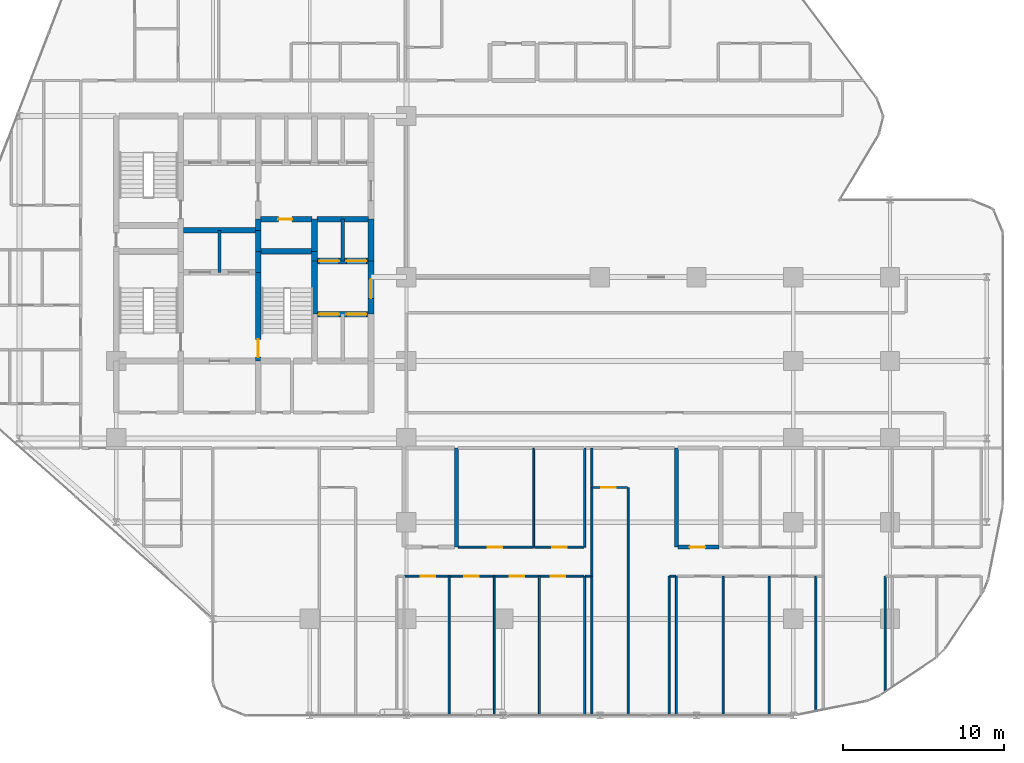
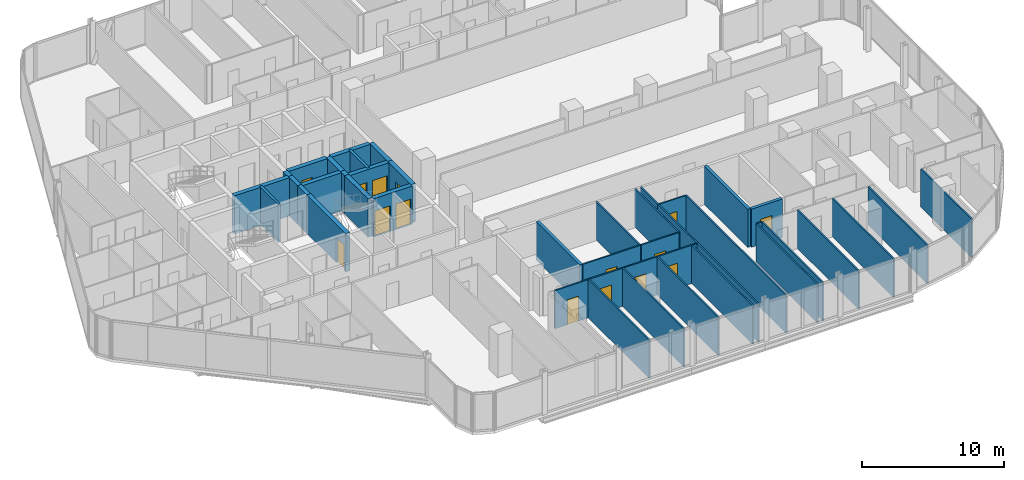
# One storey, part 28 of 33: 42 walls, 15 doors, 15 openings.
"""IFC4 building model written with IfcOpenShell, lengths in metres."""

from ifc_helpers import new_model, si_unit, direction, frame, frame_2d, origin, place, context, subcontext, project, spatial, rectangle, extrude, material, layer, layer_set, type_object, element, fill, save


model = new_model("IFC4")

# Units and contexts
model_context = context("Model", 3, precision=1e-05, world=origin(), true_north=direction((0.0, 1.0)))
body_context = subcontext(model_context, "Body", "Model", "MODEL_VIEW")
ifc_project = project(units=[si_unit("LENGTHUNIT", "METRE"), si_unit("AREAUNIT", "SQUARE_METRE"), si_unit("VOLUMEUNIT", "CUBIC_METRE"), si_unit("PLANEANGLEUNIT", "RADIAN"), si_unit("MASSUNIT", "GRAM", prefix="KILO")], contexts=[model_context])

# Site, building, storey
site_placement = place(None, origin())
site = spatial("IfcSite", under=ifc_project, at=site_placement, CompositionType="ELEMENT")
building_placement = place(site_placement, origin())
building = spatial("IfcBuilding", under=site, at=building_placement, Name="Keshet Zoharim Tower", CompositionType="ELEMENT")
storey_placement = place(building_placement, frame((0.0, 0.0, 57.300048828125)))
storey = spatial("IfcBuildingStorey", under=building, at=storey_placement, Name="L13", CompositionType="ELEMENT", Elevation=57.300048828125)

# Wall, opening, door
ifc_material_1 = material(Name="Concrete C60/75", Category="concrete")
ifc_layer_1 = layer(ifc_material_1, 0.35009765625)
ifc_layer_set_1 = layer_set([ifc_layer_1], Name="Concrete C60/75")
wall_type_1 = type_object("IfcWallType", Name="WL-CORE-350", PredefinedType="SHEAR", material=ifc_layer_set_1)
wall_1_placement = place(storey_placement, frame((23.800048828125, 22.699951171875, 0.0), z_axis=(0.0, 0.0, 1.0), x_axis=(0.0, 1.0, 0.0)))
wall_1 = element("IfcWall", 1, at=wall_1_placement, inside=storey, type_object=wall_type_1, Name="L13 Core Shear Wall 035", PredefinedType="SHEAR", context=body_context, shape_type="SweptSolid", body=[
    extrude(rectangle(XDim=5.5, YDim=0.35009765625, at=frame_2d((2.75, 0.0))), origin(), (0.0, 0.0, 1.0), 3.280029296875),
])
opening_1_placement = place(wall_1_placement, frame((0.235107421875, 0.0, 0.0)))
opening_1 = element("IfcOpeningElement", 2, at=opening_1_placement, cuts=wall_1, Name="Opening D-F611", PredefinedType="OPENING", context=body_context, shape_type="SweptSolid", body=[
    extrude(rectangle(XDim=1.10009765625, YDim=2.14990234375, at=frame_2d((0.550048828125, 1.074951171875))), frame((0.0, 0.18505859375, 0.0), z_axis=(0.0, -1.0, 0.0), x_axis=(1.0, 0.0, 0.0)), (0.0, 0.0, 1.0), 0.3701171875),
])
ifc_material_2 = material(Name="Hardwood Timber", Category="wood")
door_type_1 = type_object("IfcDoorType", Name="DR-FD60-110", OperationType="NOTDEFINED", PredefinedType="DOOR", material=ifc_material_2)
door_1_placement = place(opening_1_placement, frame((1.10009765625, 0.0, 0.0), z_axis=(0.0, 0.0, 1.0), x_axis=(-1.0, 0.0, 0.0)))
door_1 = element("IfcDoor", 3, at=door_1_placement, inside=storey, type_object=door_type_1, Name="L13 Exit Stair ST-03 Fire Door", OperationType="SINGLE_SWING_LEFT", OverallHeight=2.14990234375, OverallWidth=1.10009765625, PredefinedType="DOOR", context=body_context, shape_type="SweptSolid", body=[
    extrude(rectangle(XDim=1.10009765625, YDim=2.14990234375, at=frame_2d((0.550048828125, 1.074951171875))), frame((0.0, 0.02490234375, 0.0), z_axis=(0.0, -1.0, 0.0), x_axis=(1.0, 0.0, 0.0)), (0.0, 0.0, 1.0), 0.050048828125),
])
fill(opening_1, door_1)

# Walls
for number, where, z_axis, x_axis, name in (
    (4, (23.800048828125, 28.199951171875, 0.0), (0.0, 0.0, 1.0), (0.0, 1.0, 0.0), "L13 Core Shear Wall 036"),
    (5, (23.800048828125, 29.5, 0.0), (0.0, 0.0, 1.0), (0.0, 1.0, 0.0), "L13 Core Shear Wall 037"),
):
    element("IfcWall", number, at=place(storey_placement, frame(where, z_axis=z_axis, x_axis=x_axis)), inside=storey, type_object=wall_type_1, Name=name, PredefinedType="SHEAR", context=body_context, shape_type="SweptSolid", body=[
        extrude(rectangle(XDim=1.300048828125, YDim=0.35009765625, at=frame_2d((0.64990234375, 0.0))), origin(), (0.0, 0.0, 1.0), 3.280029296875),
    ])
wall_2_placement = place(storey_placement, frame((23.800048828125, 30.800048828125, 0.0), z_axis=(0.0, 0.0, 1.0), x_axis=(0.0, 1.0, 0.0)))
element("IfcWall", 6, at=wall_2_placement, inside=storey, type_object=wall_type_1, Name="L13 Core Shear Wall 038", PredefinedType="SHEAR", context=body_context, shape_type="SweptSolid", body=[
    extrude(rectangle(XDim=0.699951171875, YDim=0.35009765625, at=frame_2d((0.35009765625, 0.0))), origin(), (0.0, 0.0, 1.0), 3.280029296875),
])
wall_3_placement = place(storey_placement, frame((27.300048828125, 25.60009765625, 0.0), z_axis=(0.0, 0.0, 1.0), x_axis=(0.0, 1.0, 0.0)))
element("IfcWall", 7, at=wall_3_placement, inside=storey, type_object=wall_type_1, Name="L13 Core Shear Wall 047", PredefinedType="SHEAR", context=body_context, shape_type="SweptSolid", body=[
    extrude(rectangle(XDim=3.2998046875, YDim=0.35009765625, at=frame_2d((1.64990234375, 0.0))), origin(), (0.0, 0.0, 1.0), 3.280029296875),
])
wall_4_placement = place(storey_placement, frame((27.300048828125, 28.89990234375, 0.0), z_axis=(0.0, 0.0, 1.0), x_axis=(0.0, 1.0, 0.0)))
element("IfcWall", 8, at=wall_4_placement, inside=storey, type_object=wall_type_1, Name="L13 Core Shear Wall 048", PredefinedType="SHEAR", context=body_context, shape_type="SweptSolid", body=[
    extrude(rectangle(XDim=0.60009765625, YDim=0.35009765625, at=frame_2d((0.300048828125, 0.0))), origin(), (0.0, 0.0, 1.0), 3.280029296875),
])
wall_5_placement = place(storey_placement, frame((27.300048828125, 29.5, 0.0), z_axis=(0.0, 0.0, 1.0), x_axis=(0.0, 1.0, 0.0)))
element("IfcWall", 9, at=wall_5_placement, inside=storey, type_object=wall_type_1, Name="L13 Core Shear Wall 049", PredefinedType="SHEAR", context=body_context, shape_type="SweptSolid", body=[
    extrude(rectangle(XDim=2.0, YDim=0.35009765625, at=frame_2d((1.0, 0.0))), origin(), (0.0, 0.0, 1.0), 3.280029296875),
])

# Wall, opening, door
wall_6_placement = place(storey_placement, frame((30.800048828125, 25.60009765625, 0.0), z_axis=(0.0, 0.0, 1.0), x_axis=(0.0, 1.0, 0.0)))
wall_6 = element("IfcWall", 10, at=wall_6_placement, inside=storey, type_object=wall_type_1, Name="L13 Core Shear Wall 061", PredefinedType="SHEAR", context=body_context, shape_type="SweptSolid", body=[
    extrude(rectangle(XDim=3.2998046875, YDim=0.35009765625, at=frame_2d((1.64990234375, 0.0))), origin(), (0.0, 0.0, 1.0), 3.280029296875),
])
opening_2_placement = place(wall_6_placement, frame((0.97802734375, 0.0, 0.0)))
opening_2 = element("IfcOpeningElement", 11, at=opening_2_placement, cuts=wall_6, Name="Opening D-F612", PredefinedType="OPENING", context=body_context, shape_type="SweptSolid", body=[
    extrude(rectangle(XDim=1.199951171875, YDim=2.199951171875, at=frame_2d((0.60009765625, 1.10009765625))), frame((0.0, 0.18505859375, 0.0), z_axis=(0.0, -1.0, 0.0), x_axis=(1.0, 0.0, 0.0)), (0.0, 0.0, 1.0), 0.3701171875),
])
door_type_2 = type_object("IfcDoorType", Name="DR-FD60-120", OperationType="NOTDEFINED", PredefinedType="DOOR", material=ifc_material_2)
door_2_placement = place(opening_2_placement, origin())
door_2 = element("IfcDoor", 12, at=door_2_placement, inside=storey, type_object=door_type_2, Name="L13 East Lift Lobby Fire Door", OperationType="SINGLE_SWING_LEFT", OverallHeight=2.199951171875, OverallWidth=1.199951171875, PredefinedType="DOOR", context=body_context, shape_type="SweptSolid", body=[
    extrude(rectangle(XDim=1.199951171875, YDim=2.199951171875, at=frame_2d((0.60009765625, 1.10009765625))), frame((0.0, 0.02490234375, 0.0), z_axis=(0.0, -1.0, 0.0), x_axis=(1.0, 0.0, 0.0)), (0.0, 0.0, 1.0), 0.050048828125),
])
fill(opening_2, door_2)

# Wall
wall_7_placement = place(storey_placement, frame((30.800048828125, 28.89990234375, 0.0), z_axis=(0.0, 0.0, 1.0), x_axis=(0.0, 1.0, 0.0)))
element("IfcWall", 13, at=wall_7_placement, inside=storey, type_object=wall_type_1, Name="L13 Core Shear Wall 062", PredefinedType="SHEAR", context=body_context, shape_type="SweptSolid", body=[
    extrude(rectangle(XDim=2.60009765625, YDim=0.35009765625, at=frame_2d((1.300048828125, 0.0))), origin(), (0.0, 0.0, 1.0), 3.280029296875),
])

# Wall, openings, doors
wall_8_placement = place(storey_placement, frame((27.4599609375, 25.60009765625, 0.0), z_axis=(0.0, 0.0, 1.0), x_axis=(1.0, 0.0, 0.0)))
wall_8 = element("IfcWall", 14, at=wall_8_placement, inside=storey, type_object=wall_type_1, Name="L13 Core Shear Wall 179", PredefinedType="SHEAR", context=body_context, shape_type="SweptSolid", body=[
    extrude(rectangle(XDim=3.179931640625, YDim=0.35009765625, at=frame_2d((1.58984375, 0.0))), origin(), (0.0, 0.0, 1.0), 3.280029296875),
])
opening_3_placement = place(wall_8_placement, frame((0.1201171875, 0.0, 0.0)))
opening_3 = element("IfcOpeningElement", 15, at=opening_3_placement, cuts=wall_8, Name="Opening LD-01", PredefinedType="OPENING", context=body_context, shape_type="SweptSolid", body=[
    extrude(rectangle(XDim=1.25, YDim=2.199951171875, at=frame_2d((0.625, 1.10009765625))), frame((0.0, 0.18505859375, 0.0), z_axis=(0.0, -1.0, 0.0), x_axis=(1.0, 0.0, 0.0)), (0.0, 0.0, 1.0), 0.3701171875),
])
opening_4_placement = place(wall_8_placement, frame((1.81005859375, 0.0, 0.0)))
opening_4 = element("IfcOpeningElement", 16, at=opening_4_placement, cuts=wall_8, Name="Opening LD-01", PredefinedType="OPENING", context=body_context, shape_type="SweptSolid", body=[
    extrude(rectangle(XDim=1.25, YDim=2.199951171875, at=frame_2d((0.625, 1.10009765625))), frame((0.0, 0.18505859375, 0.0), z_axis=(0.0, -1.0, 0.0), x_axis=(1.0, 0.0, 0.0)), (0.0, 0.0, 1.0), 0.3701171875),
])
ifc_material_3 = material(Name="Steel S355", Category="steel")
door_type_3 = type_object("IfcDoorType", Name="DR-LD01-125", OperationType="DOUBLE_DOOR_SLIDING", PredefinedType="DOOR", material=ifc_material_3)
door_3_placement = place(opening_3_placement, origin())
door_3 = element("IfcDoor", 17, at=door_3_placement, inside=storey, type_object=door_type_3, Name="L13 Passenger Lift Landing Door LF-07", OperationType="DOUBLE_DOOR_SLIDING", OverallHeight=2.199951171875, OverallWidth=1.25, PredefinedType="DOOR", context=body_context, shape_type="SweptSolid", body=[
    extrude(rectangle(XDim=1.25, YDim=2.199951171875, at=frame_2d((0.625, 1.10009765625))), frame((0.0, 0.02490234375, 0.0), z_axis=(0.0, -1.0, 0.0), x_axis=(1.0, 0.0, 0.0)), (0.0, 0.0, 1.0), 0.050048828125),
])
fill(opening_3, door_3)
door_4_placement = place(opening_4_placement, origin())
door_4 = element("IfcDoor", 18, at=door_4_placement, inside=storey, type_object=door_type_3, Name="L13 Passenger Lift Landing Door LF-08", OperationType="DOUBLE_DOOR_SLIDING", OverallHeight=2.199951171875, OverallWidth=1.25, PredefinedType="DOOR", context=body_context, shape_type="SweptSolid", body=[
    extrude(rectangle(XDim=1.25, YDim=2.199951171875, at=frame_2d((0.625, 1.10009765625))), frame((0.0, 0.02490234375, 0.0), z_axis=(0.0, -1.0, 0.0), x_axis=(1.0, 0.0, 0.0)), (0.0, 0.0, 1.0), 0.050048828125),
])
fill(opening_4, door_4)

wall_9_placement = place(storey_placement, frame((27.4599609375, 28.89990234375, 0.0), z_axis=(0.0, 0.0, 1.0), x_axis=(1.0, 0.0, 0.0)))
wall_9 = element("IfcWall", 19, at=wall_9_placement, inside=storey, type_object=wall_type_1, Name="L13 Core Shear Wall 186", PredefinedType="SHEAR", context=body_context, shape_type="SweptSolid", body=[
    extrude(rectangle(XDim=3.179931640625, YDim=0.35009765625, at=frame_2d((1.58984375, 0.0))), origin(), (0.0, 0.0, 1.0), 3.280029296875),
])
opening_5_placement = place(wall_9_placement, frame((0.1201171875, 0.0, 0.0)))
opening_5 = element("IfcOpeningElement", 20, at=opening_5_placement, cuts=wall_9, Name="Opening LD-01", PredefinedType="OPENING", context=body_context, shape_type="SweptSolid", body=[
    extrude(rectangle(XDim=1.25, YDim=2.199951171875, at=frame_2d((0.625, 1.10009765625))), frame((0.0, 0.18505859375, 0.0), z_axis=(0.0, -1.0, 0.0), x_axis=(1.0, 0.0, 0.0)), (0.0, 0.0, 1.0), 0.3701171875),
])
opening_6_placement = place(wall_9_placement, frame((1.81005859375, 0.0, 0.0)))
opening_6 = element("IfcOpeningElement", 21, at=opening_6_placement, cuts=wall_9, Name="Opening LD-01", PredefinedType="OPENING", context=body_context, shape_type="SweptSolid", body=[
    extrude(rectangle(XDim=1.25, YDim=2.199951171875, at=frame_2d((0.625, 1.10009765625))), frame((0.0, 0.18505859375, 0.0), z_axis=(0.0, -1.0, 0.0), x_axis=(1.0, 0.0, 0.0)), (0.0, 0.0, 1.0), 0.3701171875),
])
door_5_placement = place(opening_5_placement, origin())
door_5 = element("IfcDoor", 22, at=door_5_placement, inside=storey, type_object=door_type_3, Name="L13 Passenger Lift Landing Door LF-05", OperationType="DOUBLE_DOOR_SLIDING", OverallHeight=2.199951171875, OverallWidth=1.25, PredefinedType="DOOR", context=body_context, shape_type="SweptSolid", body=[
    extrude(rectangle(XDim=1.25, YDim=2.199951171875, at=frame_2d((0.625, 1.10009765625))), frame((0.0, 0.02490234375, 0.0), z_axis=(0.0, -1.0, 0.0), x_axis=(1.0, 0.0, 0.0)), (0.0, 0.0, 1.0), 0.050048828125),
])
fill(opening_5, door_5)
door_6_placement = place(opening_6_placement, origin())
door_6 = element("IfcDoor", 23, at=door_6_placement, inside=storey, type_object=door_type_3, Name="L13 Passenger Lift Landing Door LF-06", OperationType="DOUBLE_DOOR_SLIDING", OverallHeight=2.199951171875, OverallWidth=1.25, PredefinedType="DOOR", context=body_context, shape_type="SweptSolid", body=[
    extrude(rectangle(XDim=1.25, YDim=2.199951171875, at=frame_2d((0.625, 1.10009765625))), frame((0.0, 0.02490234375, 0.0), z_axis=(0.0, -1.0, 0.0), x_axis=(1.0, 0.0, 0.0)), (0.0, 0.0, 1.0), 0.050048828125),
])
fill(opening_6, door_6)

# Walls
wall_10_placement = place(storey_placement, frame((23.9599609375, 29.5, 0.0), z_axis=(0.0, 0.0, 1.0), x_axis=(1.0, 0.0, 0.0)))
element("IfcWall", 24, at=wall_10_placement, inside=storey, type_object=wall_type_1, Name="L13 Core Shear Wall 188", PredefinedType="SHEAR", context=body_context, shape_type="SweptSolid", body=[
    extrude(rectangle(XDim=3.179931640625, YDim=0.35009765625, at=frame_2d((1.58984375, 0.0))), origin(), (0.0, 0.0, 1.0), 3.280029296875),
])
wall_11_placement = place(storey_placement, frame((19.159912109375, 30.800048828125, 0.0), z_axis=(0.0, 0.0, 1.0), x_axis=(1.0, 0.0, 0.0)))
element("IfcWall", 25, at=wall_11_placement, inside=storey, type_object=wall_type_1, Name="L13 Core Shear Wall 192", PredefinedType="SHEAR", context=body_context, shape_type="SweptSolid", body=[
    extrude(rectangle(XDim=4.47998046875, YDim=0.35009765625, at=frame_2d((2.239990234375, 0.0))), origin(), (0.0, 0.0, 1.0), 3.280029296875),
])

# Wall, opening, door
wall_12_placement = place(storey_placement, frame((23.9599609375, 31.5, 0.0), z_axis=(0.0, 0.0, 1.0), x_axis=(1.0, 0.0, 0.0)))
wall_12 = element("IfcWall", 26, at=wall_12_placement, inside=storey, type_object=wall_type_1, Name="L13 Core Shear Wall 194", PredefinedType="SHEAR", context=body_context, shape_type="SweptSolid", body=[
    extrude(rectangle(XDim=3.179931640625, YDim=0.35009765625, at=frame_2d((1.58984375, 0.0))), origin(), (0.0, 0.0, 1.0), 3.280029296875),
])
opening_7_placement = place(wall_12_placement, frame((1.093994140625, 0.0, 0.0)))
opening_7 = element("IfcOpeningElement", 27, at=opening_7_placement, cuts=wall_12, Name="Opening D-RS85", PredefinedType="OPENING", context=body_context, shape_type="SweptSolid", body=[
    extrude(rectangle(XDim=0.85009765625, YDim=2.10009765625, at=frame_2d((0.425048828125, 1.050048828125))), frame((0.0, 0.18505859375, 0.0), z_axis=(0.0, -1.0, 0.0), x_axis=(1.0, 0.0, 0.0)), (0.0, 0.0, 1.0), 0.3701171875),
])
door_type_4 = type_object("IfcDoorType", Name="DR-RIS-085", OperationType="NOTDEFINED", PredefinedType="DOOR", material=ifc_material_2)
door_7_placement = place(opening_7_placement, origin())
door_7 = element("IfcDoor", 28, at=door_7_placement, inside=storey, type_object=door_type_4, Name="L13 Telecom Riser Access Cupboard Door", OperationType="SINGLE_SWING_RIGHT", OverallHeight=2.10009765625, OverallWidth=0.85009765625, PredefinedType="DOOR", context=body_context, shape_type="SweptSolid", body=[
    extrude(rectangle(XDim=0.85009765625, YDim=2.10009765625, at=frame_2d((0.425048828125, 1.050048828125))), frame((0.0, 0.02490234375, 0.0), z_axis=(0.0, -1.0, 0.0), x_axis=(1.0, 0.0, 0.0)), (0.0, 0.0, 1.0), 0.050048828125),
])
fill(opening_7, door_7)

# Walls
wall_13_placement = place(storey_placement, frame((27.4599609375, 31.5, 0.0), z_axis=(0.0, 0.0, 1.0), x_axis=(1.0, 0.0, 0.0)))
element("IfcWall", 29, at=wall_13_placement, inside=storey, type_object=wall_type_1, Name="L13 Core Shear Wall 195", PredefinedType="SHEAR", context=body_context, shape_type="SweptSolid", body=[
    extrude(rectangle(XDim=3.179931640625, YDim=0.35009765625, at=frame_2d((1.58984375, 0.0))), origin(), (0.0, 0.0, 1.0), 3.280029296875),
])
ifc_material_4 = material(Name="Concrete C50/60", Category="concrete")
ifc_layer_2 = layer(ifc_material_4, 0.199951171875)
ifc_layer_set_2 = layer_set([ifc_layer_2], Name="Concrete C50/60")
wall_type_2 = type_object("IfcWallType", Name="WL-FIRE-200", PredefinedType="STANDARD", material=ifc_layer_set_2)
for number, where, z_axis, x_axis, name in (
    (30, (21.39990234375, 28.199951171875, 0.0), (0.0, 0.0, 1.0), (0.0, 1.0, 0.0), "L13 Interior Wall 032"),
    (31, (29.050048828125, 28.89990234375, 0.0), (0.0, 0.0, 1.0), (0.0, 1.0, 0.0), "L13 Interior Wall 055"),
):
    element("IfcWall", number, at=place(storey_placement, frame(where, z_axis=z_axis, x_axis=x_axis)), inside=storey, type_object=wall_type_2, Name=name, PredefinedType="STANDARD", context=body_context, shape_type="SweptSolid", body=[
        extrude(rectangle(XDim=2.60009765625, YDim=0.199951171875, at=frame_2d((1.300048828125, 0.0))), origin(), (0.0, 0.0, 1.0), 3.280029296875),
    ])
ifc_layer_3 = layer(ifc_material_4, 0.25)
ifc_layer_set_3 = layer_set([ifc_layer_3], Name="Concrete C50/60")
wall_type_3 = type_object("IfcWallType", Name="WL-MAMAD-250", PredefinedType="STANDARD", material=ifc_layer_set_3)
for number, where, z_axis, x_axis, name in (
    (32, (36.10009765625, 11.14990234375, 0.0), (0.0, 0.0, 1.0), (0.0, 1.0, 0.0), "L13 Interior Wall 077"),
    (33, (49.75, 11.14990234375, 0.0), (0.0, 0.0, 1.0), (0.0, 1.0, 0.0), "L13 Interior Wall 102"),
):
    element("IfcWall", number, at=place(storey_placement, frame(where, z_axis=z_axis, x_axis=x_axis)), inside=storey, type_object=wall_type_3, Name=name, PredefinedType="STANDARD", context=body_context, shape_type="SweptSolid", body=[
        extrude(rectangle(XDim=6.150146484375, YDim=0.25, at=frame_2d((3.0751953125, 0.0))), origin(), (0.0, 0.0, 1.0), 3.280029296875),
    ])

# Wall, opening, door
wall_14_placement = place(storey_placement, frame((49.860107421875, 11.14990234375, 0.0), z_axis=(0.0, 0.0, 1.0), x_axis=(1.0, 0.0, 0.0)))
wall_14 = element("IfcWall", 34, at=wall_14_placement, inside=storey, type_object=wall_type_3, Name="L13 Interior Wall 136", PredefinedType="STANDARD", context=body_context, shape_type="SweptSolid", body=[
    extrude(rectangle(XDim=2.533935546875, YDim=0.25, at=frame_2d((1.26708984375, 0.0))), origin(), (0.0, 0.0, 1.0), 3.280029296875),
])
opening_8_placement = place(wall_14_placement, frame((0.719970703125, 0.0, 0.0)))
opening_8 = element("IfcOpeningElement", 35, at=opening_8_placement, cuts=wall_14, Name="Opening D-F695", PredefinedType="OPENING", context=body_context, shape_type="SweptSolid", body=[
    extrude(rectangle(XDim=0.949951171875, YDim=2.14990234375, at=frame_2d((0.47509765625, 1.074951171875))), frame((0.0, 0.135009765625, 0.0), z_axis=(0.0, -1.0, 0.0), x_axis=(1.0, 0.0, 0.0)), (0.0, 0.0, 1.0), 0.27001953125),
])
door_type_5 = type_object("IfcDoorType", Name="DR-FD60-095", OperationType="NOTDEFINED", PredefinedType="DOOR", material=ifc_material_2)
door_8_placement = place(opening_8_placement, origin())
door_8 = element("IfcDoor", 36, at=door_8_placement, inside=storey, type_object=door_type_5, Name="Apartment 1303 Study and Shelter Room Door", OperationType="SINGLE_SWING_LEFT", OverallHeight=2.14990234375, OverallWidth=0.949951171875, PredefinedType="DOOR", context=body_context, shape_type="SweptSolid", body=[
    extrude(rectangle(XDim=0.949951171875, YDim=2.14990234375, at=frame_2d((0.47509765625, 1.074951171875))), frame((0.0, 0.02490234375, 0.0), z_axis=(0.0, -1.0, 0.0), x_axis=(1.0, 0.0, 0.0)), (0.0, 0.0, 1.0), 0.050048828125),
])
fill(opening_8, door_8)

# Walls
ifc_material_5 = material(Name="Gypsum Plasterboard", Category="gypsum")
ifc_layer_4 = layer(ifc_material_5, 0.1201171875)
ifc_layer_set_4 = layer_set([ifc_layer_4], Name="Gypsum Plasterboard")
wall_type_4 = type_object("IfcWallType", Name="WL-PART-120", PredefinedType="PARTITIONING", material=ifc_layer_set_4)
for number, where, z_axis, x_axis, name in (
    (37, (35.64990234375, 0.7099609375, 0.0), (0.0, 0.0, 1.0), (0.0, 1.0, 0.0), "L13 Interior Wall 076"),
    (38, (38.449951171875, 0.7099609375, 0.0), (0.0, 0.0, 1.0), (0.0, 1.0, 0.0), "L13 Interior Wall 081"),
    (39, (41.25, 0.7099609375, 0.0), (0.0, 0.0, 1.0), (0.0, 1.0, 0.0), "L13 Interior Wall 085"),
    (40, (44.050048828125, 0.7099609375, 0.0), (0.0, 0.0, 1.0), (0.0, 1.0, 0.0), "L13 Interior Wall 088"),
    (41, (44.5, 0.7099609375, 0.0), (0.0, 0.0, 1.0), (0.0, 1.0, 0.0), "L13 Interior Wall 090"),
):
    element("IfcWall", number, at=place(storey_placement, frame(where, z_axis=z_axis, x_axis=x_axis)), inside=storey, type_object=wall_type_4, Name=name, PredefinedType="PARTITIONING", context=body_context, shape_type="SweptSolid", body=[
        extrude(rectangle(XDim=8.64013671875, YDim=0.1201171875, at=frame_2d((4.320068359375, 0.0))), origin(), (0.0, 0.0, 1.0), 3.280029296875),
    ])
wall_15_placement = place(storey_placement, frame((44.5, 9.35009765625, 0.0), z_axis=(0.0, 0.0, 1.0), x_axis=(0.0, 1.0, 0.0)))
element("IfcWall", 42, at=wall_15_placement, inside=storey, type_object=wall_type_4, Name="L13 Interior Wall 091", PredefinedType="PARTITIONING", context=body_context, shape_type="SweptSolid", body=[
    extrude(rectangle(XDim=5.5, YDim=0.1201171875, at=frame_2d((2.75, 0.0))), origin(), (0.0, 0.0, 1.0), 3.280029296875),
])
wall_16_placement = place(storey_placement, frame((44.5, 14.85009765625, 0.0), z_axis=(0.0, 0.0, 1.0), x_axis=(0.0, 1.0, 0.0)))
element("IfcWall", 43, at=wall_16_placement, inside=storey, type_object=wall_type_4, Name="L13 Interior Wall 092", PredefinedType="PARTITIONING", context=body_context, shape_type="SweptSolid", body=[
    extrude(rectangle(XDim=2.449951171875, YDim=0.1201171875, at=frame_2d((1.22509765625, 0.0))), origin(), (0.0, 0.0, 1.0), 3.280029296875),
])
wall_17_placement = place(storey_placement, frame((46.75, 0.7099609375, 0.0), z_axis=(0.0, 0.0, 1.0), x_axis=(0.0, 1.0, 0.0)))
element("IfcWall", 44, at=wall_17_placement, inside=storey, type_object=wall_type_4, Name="L13 Interior Wall 095", PredefinedType="PARTITIONING", context=body_context, shape_type="SweptSolid", body=[
    extrude(rectangle(XDim=14.14013671875, YDim=0.1201171875, at=frame_2d((7.070068359375, 0.0))), origin(), (0.0, 0.0, 1.0), 3.280029296875),
])
for number, where, z_axis, x_axis, name in (
    (45, (49.300048828125, 0.7099609375, 0.0), (0.0, 0.0, 1.0), (0.0, 1.0, 0.0), "L13 Interior Wall 099"),
    (46, (49.75, 0.7099609375, 0.0), (0.0, 0.0, 1.0), (0.0, 1.0, 0.0), "L13 Interior Wall 101"),
    (47, (52.64990234375, 0.7099609375, 0.0), (0.0, 0.0, 1.0), (0.0, 1.0, 0.0), "L13 Interior Wall 107"),
    (48, (55.5, 0.7099609375, 0.0), (0.0, 0.0, 1.0), (0.0, 1.0, 0.0), "L13 Interior Wall 110"),
):
    element("IfcWall", number, at=place(storey_placement, frame(where, z_axis=z_axis, x_axis=x_axis)), inside=storey, type_object=wall_type_4, Name=name, PredefinedType="PARTITIONING", context=body_context, shape_type="SweptSolid", body=[
        extrude(rectangle(XDim=8.64013671875, YDim=0.1201171875, at=frame_2d((4.320068359375, 0.0))), origin(), (0.0, 0.0, 1.0), 3.280029296875),
    ])
wall_18_placement = place(storey_placement, frame((58.39990234375, 0.988037109375, 0.0), z_axis=(0.0, 0.0, 1.0), x_axis=(0.0, 1.0, 0.0)))
element("IfcWall", 49, at=wall_18_placement, inside=storey, type_object=wall_type_4, Name="L13 Interior Wall 112", PredefinedType="PARTITIONING", context=body_context, shape_type="SweptSolid", body=[
    extrude(rectangle(XDim=8.362060546875, YDim=0.1201171875, at=frame_2d((4.18115234375, 0.0))), origin(), (0.0, 0.0, 1.0), 3.280029296875),
])
wall_19_placement = place(storey_placement, frame((62.699951171875, 2.18408203125, 0.0), z_axis=(0.0, 0.0, 1.0), x_axis=(0.0, 1.0, 0.0)))
element("IfcWall", 50, at=wall_19_placement, inside=storey, type_object=wall_type_4, Name="L13 Interior Wall 116", PredefinedType="PARTITIONING", context=body_context, shape_type="SweptSolid", body=[
    extrude(rectangle(XDim=7.166015625, YDim=0.1201171875, at=frame_2d((3.5830078125, 0.0))), origin(), (0.0, 0.0, 1.0), 3.280029296875),
])

# Wall, openings, doors
wall_20_placement = place(storey_placement, frame((32.89501953125, 9.35009765625, 0.0), z_axis=(0.0, 0.0, 1.0), x_axis=(1.0, 0.0, 0.0)))
wall_20 = element("IfcWall", 51, at=wall_20_placement, inside=storey, type_object=wall_type_4, Name="L13 Interior Wall 126", PredefinedType="PARTITIONING", context=body_context, shape_type="SweptSolid", body=[
    extrude(rectangle(XDim=11.10986328125, YDim=0.1201171875, at=frame_2d((5.554931640625, 0.0))), origin(), (0.0, 0.0, 1.0), 3.280029296875),
])
opening_9_placement = place(wall_20_placement, frame((1.006103515625, 0.0, 0.0)))
opening_9 = element("IfcOpeningElement", 52, at=opening_9_placement, cuts=wall_20, Name="Opening D-IN90", PredefinedType="OPENING", context=body_context, shape_type="SweptSolid", body=[
    extrude(rectangle(XDim=0.89990234375, YDim=2.14990234375, at=frame_2d((0.449951171875, 1.074951171875))), frame((0.0, 0.070068359375, 0.0), z_axis=(0.0, -1.0, 0.0), x_axis=(1.0, 0.0, 0.0)), (0.0, 0.0, 1.0), 0.14013671875),
])
opening_10_placement = place(wall_20_placement, frame((3.705078125, 0.0, 0.0)))
opening_10 = element("IfcOpeningElement", 53, at=opening_10_placement, cuts=wall_20, Name="Opening D-IN90", PredefinedType="OPENING", context=body_context, shape_type="SweptSolid", body=[
    extrude(rectangle(XDim=0.89990234375, YDim=2.14990234375, at=frame_2d((0.449951171875, 1.074951171875))), frame((0.0, 0.070068359375, 0.0), z_axis=(0.0, -1.0, 0.0), x_axis=(1.0, 0.0, 0.0)), (0.0, 0.0, 1.0), 0.14013671875),
])
opening_11_placement = place(wall_20_placement, frame((6.5048828125, 0.0, 0.0)))
opening_11 = element("IfcOpeningElement", 54, at=opening_11_placement, cuts=wall_20, Name="Opening D-IN90", PredefinedType="OPENING", context=body_context, shape_type="SweptSolid", body=[
    extrude(rectangle(XDim=0.89990234375, YDim=2.14990234375, at=frame_2d((0.449951171875, 1.074951171875))), frame((0.0, 0.070068359375, 0.0), z_axis=(0.0, -1.0, 0.0), x_axis=(1.0, 0.0, 0.0)), (0.0, 0.0, 1.0), 0.14013671875),
])
opening_12_placement = place(wall_20_placement, frame((9.055908203125, 0.0, 0.0)))
opening_12 = element("IfcOpeningElement", 55, at=opening_12_placement, cuts=wall_20, Name="Opening D-IN90", PredefinedType="OPENING", context=body_context, shape_type="SweptSolid", body=[
    extrude(rectangle(XDim=0.89990234375, YDim=2.14990234375, at=frame_2d((0.449951171875, 1.074951171875))), frame((0.0, 0.070068359375, 0.0), z_axis=(0.0, -1.0, 0.0), x_axis=(1.0, 0.0, 0.0)), (0.0, 0.0, 1.0), 0.14013671875),
])
door_type_6 = type_object("IfcDoorType", Name="DR-INT-090", OperationType="NOTDEFINED", PredefinedType="DOOR", material=ifc_material_2)
door_9_placement = place(opening_9_placement, origin())
door_9 = element("IfcDoor", 56, at=door_9_placement, inside=storey, type_object=door_type_6, Name="Apartment 1302 Bedroom 1 Door", OperationType="SINGLE_SWING_LEFT", OverallHeight=2.14990234375, OverallWidth=0.89990234375, PredefinedType="DOOR", context=body_context, shape_type="SweptSolid", body=[
    extrude(rectangle(XDim=0.89990234375, YDim=2.14990234375, at=frame_2d((0.449951171875, 1.074951171875))), frame((0.0, 0.02490234375, 0.0), z_axis=(0.0, -1.0, 0.0), x_axis=(1.0, 0.0, 0.0)), (0.0, 0.0, 1.0), 0.050048828125),
])
fill(opening_9, door_9)
door_10_placement = place(opening_10_placement, origin())
door_10 = element("IfcDoor", 57, at=door_10_placement, inside=storey, type_object=door_type_6, Name="Apartment 1302 Bedroom 2 Door", OperationType="SINGLE_SWING_RIGHT", OverallHeight=2.14990234375, OverallWidth=0.89990234375, PredefinedType="DOOR", context=body_context, shape_type="SweptSolid", body=[
    extrude(rectangle(XDim=0.89990234375, YDim=2.14990234375, at=frame_2d((0.449951171875, 1.074951171875))), frame((0.0, 0.02490234375, 0.0), z_axis=(0.0, -1.0, 0.0), x_axis=(1.0, 0.0, 0.0)), (0.0, 0.0, 1.0), 0.050048828125),
])
fill(opening_10, door_10)
door_11_placement = place(opening_11_placement, origin())
door_11 = element("IfcDoor", 58, at=door_11_placement, inside=storey, type_object=door_type_6, Name="Apartment 1302 Bedroom 3 Door", OperationType="SINGLE_SWING_LEFT", OverallHeight=2.14990234375, OverallWidth=0.89990234375, PredefinedType="DOOR", context=body_context, shape_type="SweptSolid", body=[
    extrude(rectangle(XDim=0.89990234375, YDim=2.14990234375, at=frame_2d((0.449951171875, 1.074951171875))), frame((0.0, 0.02490234375, 0.0), z_axis=(0.0, -1.0, 0.0), x_axis=(1.0, 0.0, 0.0)), (0.0, 0.0, 1.0), 0.050048828125),
])
fill(opening_11, door_11)
door_12_placement = place(opening_12_placement, origin())
door_12 = element("IfcDoor", 59, at=door_12_placement, inside=storey, type_object=door_type_6, Name="Apartment 1302 Bedroom 4 Door", OperationType="SINGLE_SWING_RIGHT", OverallHeight=2.14990234375, OverallWidth=0.89990234375, PredefinedType="DOOR", context=body_context, shape_type="SweptSolid", body=[
    extrude(rectangle(XDim=0.89990234375, YDim=2.14990234375, at=frame_2d((0.449951171875, 1.074951171875))), frame((0.0, 0.02490234375, 0.0), z_axis=(0.0, -1.0, 0.0), x_axis=(1.0, 0.0, 0.0)), (0.0, 0.0, 1.0), 0.050048828125),
])
fill(opening_12, door_12)

# Walls
for number, where, z_axis, x_axis, name in (
    (60, (44.094970703125, 9.35009765625, 0.0), (0.0, 0.0, 1.0), (1.0, 0.0, 0.0), "L13 Interior Wall 127"),
    (61, (49.344970703125, 9.35009765625, 0.0), (0.0, 0.0, 1.0), (1.0, 0.0, 0.0), "L13 Interior Wall 128"),
):
    element("IfcWall", number, at=place(storey_placement, frame(where, z_axis=z_axis, x_axis=x_axis)), inside=storey, type_object=wall_type_4, Name=name, PredefinedType="PARTITIONING", context=body_context, shape_type="SweptSolid", body=[
        extrude(rectangle(XDim=0.360107421875, YDim=0.1201171875, at=frame_2d((0.18017578125, 0.0))), origin(), (0.0, 0.0, 1.0), 3.280029296875),
    ])

# Wall, opening, door
wall_21_placement = place(storey_placement, frame((36.2080078125, 11.14990234375, 0.0), z_axis=(0.0, 0.0, 1.0), x_axis=(1.0, 0.0, 0.0)))
wall_21 = element("IfcWall", 62, at=wall_21_placement, inside=storey, type_object=wall_type_4, Name="L13 Interior Wall 134", PredefinedType="PARTITIONING", context=body_context, shape_type="SweptSolid", body=[
    extrude(rectangle(XDim=4.660888671875, YDim=0.1201171875, at=frame_2d((2.33056640625, 0.0))), origin(), (0.0, 0.0, 1.0), 3.280029296875),
])
opening_13_placement = place(wall_21_placement, frame((1.847900390625, 0.0, 0.0)))
opening_13 = element("IfcOpeningElement", 63, at=opening_13_placement, cuts=wall_21, Name="Opening D-IN90", PredefinedType="OPENING", context=body_context, shape_type="SweptSolid", body=[
    extrude(rectangle(XDim=0.89990234375, YDim=2.14990234375, at=frame_2d((0.449951171875, 1.074951171875))), frame((0.0, 0.070068359375, 0.0), z_axis=(0.0, -1.0, 0.0), x_axis=(1.0, 0.0, 0.0)), (0.0, 0.0, 1.0), 0.14013671875),
])
door_13_placement = place(opening_13_placement, origin())
door_13 = element("IfcDoor", 64, at=door_13_placement, inside=storey, type_object=door_type_6, Name="Apartment 1302 Kitchen Door", OperationType="SINGLE_SWING_LEFT", OverallHeight=2.14990234375, OverallWidth=0.89990234375, PredefinedType="DOOR", context=body_context, shape_type="SweptSolid", body=[
    extrude(rectangle(XDim=0.89990234375, YDim=2.14990234375, at=frame_2d((0.449951171875, 1.074951171875))), frame((0.0, 0.02490234375, 0.0), z_axis=(0.0, -1.0, 0.0), x_axis=(1.0, 0.0, 0.0)), (0.0, 0.0, 1.0), 0.050048828125),
])
fill(opening_13, door_13)

wall_22_placement = place(storey_placement, frame((44.544921875, 14.85009765625, 0.0), z_axis=(0.0, 0.0, 1.0), x_axis=(1.0, 0.0, 0.0)))
wall_22 = element("IfcWall", 65, at=wall_22_placement, inside=storey, type_object=wall_type_4, Name="L13 Interior Wall 144", PredefinedType="PARTITIONING", context=body_context, shape_type="SweptSolid", body=[
    extrude(rectangle(XDim=2.16015625, YDim=0.1201171875, at=frame_2d((1.080078125, 0.0))), origin(), (0.0, 0.0, 1.0), 3.280029296875),
])
opening_14_placement = place(wall_22_placement, frame((0.552978515625, 0.0, 0.0)))
opening_14 = element("IfcOpeningElement", 66, at=opening_14_placement, cuts=wall_22, Name="Opening D-IN90", PredefinedType="OPENING", context=body_context, shape_type="SweptSolid", body=[
    extrude(rectangle(XDim=0.89990234375, YDim=2.14990234375, at=frame_2d((0.449951171875, 1.074951171875))), frame((0.0, 0.070068359375, 0.0), z_axis=(0.0, -1.0, 0.0), x_axis=(1.0, 0.0, 0.0)), (0.0, 0.0, 1.0), 0.14013671875),
])
door_14_placement = place(opening_14_placement, origin())
door_14 = element("IfcDoor", 67, at=door_14_placement, inside=storey, type_object=door_type_6, Name="Apartment 1303 Formal Dining Room Door", OperationType="SINGLE_SWING_LEFT", OverallHeight=2.14990234375, OverallWidth=0.89990234375, PredefinedType="DOOR", context=body_context, shape_type="SweptSolid", body=[
    extrude(rectangle(XDim=0.89990234375, YDim=2.14990234375, at=frame_2d((0.449951171875, 1.074951171875))), frame((0.0, 0.02490234375, 0.0), z_axis=(0.0, -1.0, 0.0), x_axis=(1.0, 0.0, 0.0)), (0.0, 0.0, 1.0), 0.050048828125),
])
fill(opening_14, door_14)

# Walls
ifc_layer_5 = layer(ifc_material_5, 0.1201171875)
ifc_layer_set_5 = layer_set([ifc_layer_5], Name="Gypsum Plasterboard")
wall_type_5 = type_object("IfcWallType", Name="WL-WET-120", PredefinedType="PARTITIONING", material=ifc_layer_set_5)
for number, where, z_axis, x_axis, name in (
    (68, (40.89990234375, 11.14990234375, 0.0), (0.0, 0.0, 1.0), (0.0, 1.0, 0.0), "L13 Interior Wall 082"),
    (69, (44.050048828125, 11.14990234375, 0.0), (0.0, 0.0, 1.0), (0.0, 1.0, 0.0), "L13 Interior Wall 089"),
):
    element("IfcWall", number, at=place(storey_placement, frame(where, z_axis=z_axis, x_axis=x_axis)), inside=storey, type_object=wall_type_5, Name=name, PredefinedType="PARTITIONING", context=body_context, shape_type="SweptSolid", body=[
        extrude(rectangle(XDim=6.150146484375, YDim=0.1201171875, at=frame_2d((3.0751953125, 0.0))), origin(), (0.0, 0.0, 1.0), 3.280029296875),
    ])

# Wall, opening, door
wall_23_placement = place(storey_placement, frame((40.958984375, 11.14990234375, 0.0), z_axis=(0.0, 0.0, 1.0), x_axis=(1.0, 0.0, 0.0)))
wall_23 = element("IfcWall", 70, at=wall_23_placement, inside=storey, type_object=wall_type_5, Name="L13 Interior Wall 135", PredefinedType="PARTITIONING", context=body_context, shape_type="SweptSolid", body=[
    extrude(rectangle(XDim=3.0458984375, YDim=0.1201171875, at=frame_2d((1.52294921875, 0.0))), origin(), (0.0, 0.0, 1.0), 3.280029296875),
])
opening_15_placement = place(wall_23_placement, frame((1.072998046875, 0.0, 0.0)))
opening_15 = element("IfcOpeningElement", 71, at=opening_15_placement, cuts=wall_23, Name="Opening D-WT90", PredefinedType="OPENING", context=body_context, shape_type="SweptSolid", body=[
    extrude(rectangle(XDim=0.89990234375, YDim=2.10009765625, at=frame_2d((0.449951171875, 1.050048828125))), frame((0.0, 0.070068359375, 0.0), z_axis=(0.0, -1.0, 0.0), x_axis=(1.0, 0.0, 0.0)), (0.0, 0.0, 1.0), 0.14013671875),
])
door_type_7 = type_object("IfcDoorType", Name="DR-WET-090", OperationType="NOTDEFINED", PredefinedType="DOOR", material=ifc_material_2)
door_15_placement = place(opening_15_placement, origin())
door_15 = element("IfcDoor", 72, at=door_15_placement, inside=storey, type_object=door_type_7, Name="Apartment 1302 Bathroom Door", OperationType="SINGLE_SWING_RIGHT", OverallHeight=2.10009765625, OverallWidth=0.89990234375, PredefinedType="DOOR", context=body_context, shape_type="SweptSolid", body=[
    extrude(rectangle(XDim=0.89990234375, YDim=2.10009765625, at=frame_2d((0.449951171875, 1.050048828125))), frame((0.0, 0.02490234375, 0.0), z_axis=(0.0, -1.0, 0.0), x_axis=(1.0, 0.0, 0.0)), (0.0, 0.0, 1.0), 0.050048828125),
])
fill(opening_15, door_15)

save(model, "model.ifc")
